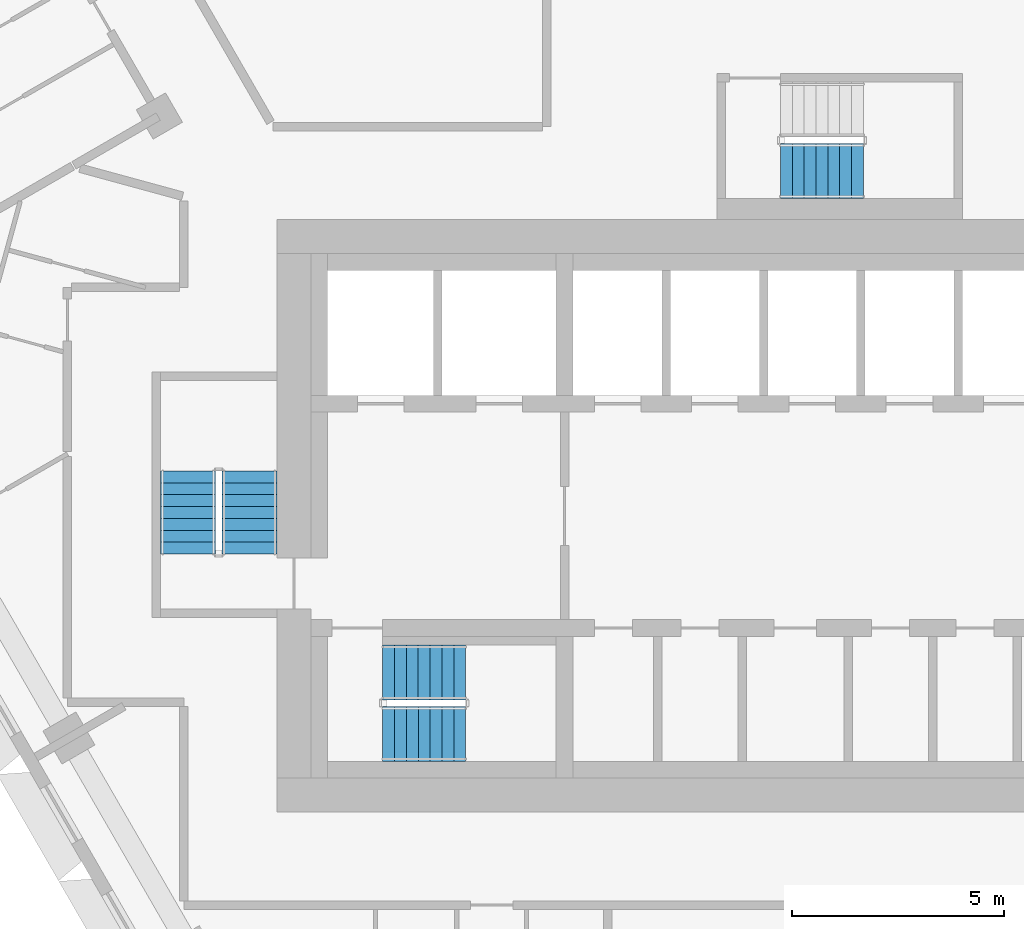
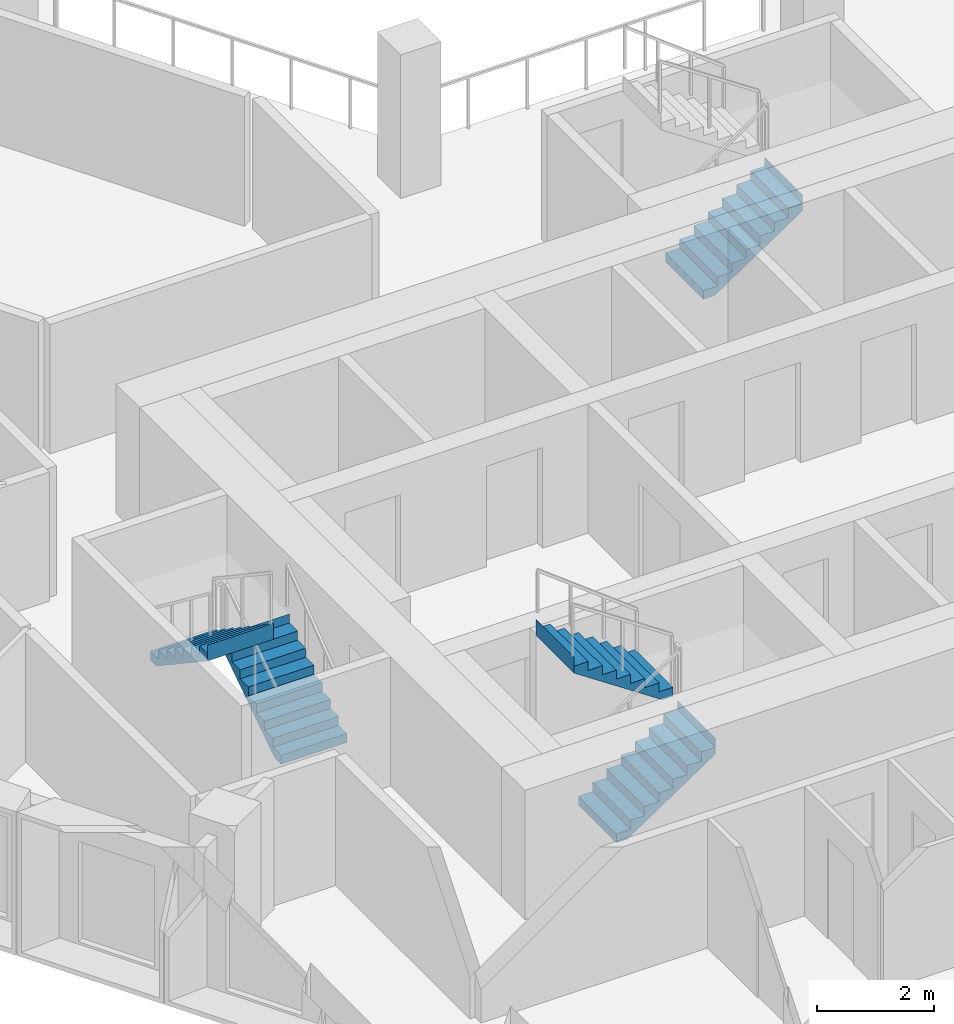
# One storey, part 13 of 18: 5 stair flights, 3 elements without a shape of their own.
"""IFC4 building model written with IfcOpenShell, lengths in metres."""

from ifc_helpers import new_model, si_unit, direction, frame, origin, place, context, subcontext, project, spatial, triangles, material, type_object, element, aggregate, save


model = new_model("IFC4")

# Units and contexts
model_context = context("Model", 3, precision=1e-05, world=origin(), true_north=direction((0.0, 1.0)))
body_context = subcontext(model_context, "Body", "Model", "MODEL_VIEW")
ifc_project = project(units=[si_unit("LENGTHUNIT", "METRE"), si_unit("AREAUNIT", "SQUARE_METRE"), si_unit("VOLUMEUNIT", "CUBIC_METRE"), si_unit("PLANEANGLEUNIT", "RADIAN"), si_unit("MASSUNIT", "GRAM", prefix="KILO")], contexts=[model_context])

# Site, building, storey
site_placement = place(None, origin())
site = spatial("IfcSite", under=ifc_project, at=site_placement, CompositionType="ELEMENT")
building_placement = place(site_placement, origin())
building = spatial("IfcBuilding", under=site, at=building_placement, Name="Beryl Residences", CompositionType="ELEMENT")
storey_placement = place(building_placement, frame((0.0, 0.0, 138.60009765625)))
storey = spatial("IfcBuildingStorey", under=building, at=storey_placement, Name="L42", CompositionType="ELEMENT", Elevation=138.60009765625)

# Stair, stair flights
ifc_material_1 = material(Name="Concrete C40/50", Category="concrete")
stair_type = type_object("IfcStairType", Name="ST1 protected exit stair, half-turn, 1300 mm flights", PredefinedType="HALF_TURN_STAIR", material=ifc_material_1)
stair_1_placement = place(storey_placement, origin())
stair_1 = element("IfcStair", 1, at=stair_1_placement, inside=storey, type_object=stair_type, Name="L42 PROTECTED EXIT STAIR ST-1", PredefinedType="HALF_TURN_STAIR")
ifc_material_2 = material(Name="Concrete C40/50", Category="concrete")
stair_flight_type = type_object("IfcStairFlightType", Name="SF1 stair flight 1300 mm", PredefinedType="STRAIGHT", material=ifc_material_2)
stair_flight_1_placement = place(storey_placement, frame((-10.800048828125, -17.14990234375, 0.0), z_axis=(0.0, 0.0, 1.0), x_axis=(1.0, 0.0, 0.0)))
stair_flight_1 = element("IfcStairFlight", 2, at=stair_flight_1_placement, type_object=stair_flight_type, Name="ST-1 flight 1", NumberOfRisers=8, NumberOfTreads=7, PredefinedType="STRAIGHT", RiserHeight=0.1875, TreadLength=0.28, context=body_context, shape_type="Tessellation", body=[
    triangles([(0.0, -0.64990234375, 0.0), (0.0, -0.324951171875, 0.0), (0.0, 0.0, 0.0), (0.0, 0.324951171875, 0.0), (0.0, 0.64990234375, 0.0), (0.0, -0.64990234375, 0.1875), (0.0, -0.324951171875, 0.1875), (0.0, 0.0, 0.1875), (0.0, 0.324951171875, 0.1875), (0.0, 0.64990234375, 0.1875), (0.280029296875, -0.64990234375, 0.1875), (0.280029296875, -0.324951171875, 0.1875), (0.280029296875, 0.0, 0.1875), (0.280029296875, 0.324951171875, 0.1875), (0.280029296875, 0.64990234375, 0.1875), (0.280029296875, -0.64990234375, 0.375), (0.280029296875, -0.324951171875, 0.375), (0.280029296875, 0.0, 0.375), (0.280029296875, 0.324951171875, 0.375), (0.280029296875, 0.64990234375, 0.375), (0.56005859375, -0.64990234375, 0.375), (0.56005859375, -0.324951171875, 0.375), (0.56005859375, 0.0, 0.375), (0.56005859375, 0.324951171875, 0.375), (0.56005859375, 0.64990234375, 0.375), (0.56005859375, -0.64990234375, 0.5625), (0.56005859375, -0.324951171875, 0.5625), (0.56005859375, 0.0, 0.5625), (0.56005859375, 0.324951171875, 0.5625), (0.56005859375, 0.64990234375, 0.5625), (0.840087890625, -0.64990234375, 0.5625), (0.840087890625, -0.324951171875, 0.5625), (0.840087890625, 0.0, 0.5625), (0.840087890625, 0.324951171875, 0.5625), (0.840087890625, 0.64990234375, 0.5625), (0.840087890625, -0.64990234375, 0.75), (0.840087890625, -0.324951171875, 0.75), (0.840087890625, 0.0, 0.75), (0.840087890625, 0.324951171875, 0.75), (0.840087890625, 0.64990234375, 0.75), (1.1201171875, -0.64990234375, 0.75), (1.1201171875, -0.324951171875, 0.75), (1.1201171875, 0.0, 0.75), (1.1201171875, 0.324951171875, 0.75), (1.1201171875, 0.64990234375, 0.75), (1.1201171875, -0.64990234375, 0.9375), (1.1201171875, -0.324951171875, 0.9375), (1.1201171875, 0.0, 0.9375), (1.1201171875, 0.324951171875, 0.9375), (1.1201171875, 0.64990234375, 0.9375), (1.39990234375, -0.64990234375, 0.9375), (1.39990234375, -0.324951171875, 0.9375), (1.39990234375, 0.0, 0.9375), (1.39990234375, 0.324951171875, 0.9375), (1.39990234375, 0.64990234375, 0.9375), (1.39990234375, -0.64990234375, 1.125), (1.39990234375, -0.324951171875, 1.125), (1.39990234375, 0.0, 1.125), (1.39990234375, 0.324951171875, 1.125), (1.39990234375, 0.64990234375, 1.125), (1.679931640625, -0.64990234375, 1.125), (1.679931640625, -0.324951171875, 1.125), (1.679931640625, 0.0, 1.125), (1.679931640625, 0.324951171875, 1.125), (1.679931640625, 0.64990234375, 1.125), (1.679931640625, -0.64990234375, 1.3125), (1.679931640625, -0.324951171875, 1.3125), (1.679931640625, 0.0, 1.3125), (1.679931640625, 0.324951171875, 1.3125), (1.679931640625, 0.64990234375, 1.3125), (1.9599609375, -0.64990234375, 1.3125), (1.9599609375, -0.324951171875, 1.3125), (1.9599609375, 0.0, 1.3125), (1.9599609375, 0.324951171875, 1.3125), (1.9599609375, 0.64990234375, 1.3125), (1.9599609375, -0.64990234375, 1.5), (1.9599609375, -0.324951171875, 1.5), (1.9599609375, 0.0, 1.5), (1.9599609375, 0.324951171875, 1.5), (1.9599609375, 0.64990234375, 1.5), (1.9609375, -0.64990234375, 1.5), (1.9609375, -0.324951171875, 1.5), (1.9609375, 0.0, 1.5), (1.9609375, 0.324951171875, 1.5), (1.9609375, 0.64990234375, 1.5), (1.9609375, -0.64990234375, 1.16796875), (1.9609375, -0.324951171875, 1.16796875), (1.9609375, 0.0, 1.16796875), (1.9609375, 0.324951171875, 1.16796875), (1.9609375, 0.64990234375, 1.16796875), (0.216796875, -0.64990234375, 0.0), (0.216796875, -0.324951171875, 0.0), (0.216796875, 0.0, 0.0), (0.216796875, 0.324951171875, 0.0), (0.216796875, 0.64990234375, 0.0)], [[1, 6, 7], [1, 7, 2], [2, 7, 8], [2, 8, 3], [3, 8, 9], [3, 9, 4], [4, 9, 10], [4, 10, 5], [6, 11, 12], [6, 12, 7], [7, 12, 13], [7, 13, 8], [8, 13, 14], [8, 14, 9], [9, 14, 15], [9, 15, 10], [11, 16, 17], [11, 17, 12], [12, 17, 18], [12, 18, 13], [13, 18, 19], [13, 19, 14], [14, 19, 20], [14, 20, 15], [16, 21, 22], [16, 22, 17], [17, 22, 23], [17, 23, 18], [18, 23, 24], [18, 24, 19], [19, 24, 25], [19, 25, 20], [21, 26, 27], [21, 27, 22], [22, 27, 28], [22, 28, 23], [23, 28, 29], [23, 29, 24], [24, 29, 30], [24, 30, 25], [26, 31, 32], [26, 32, 27], [27, 32, 33], [27, 33, 28], [28, 33, 34], [28, 34, 29], [29, 34, 35], [29, 35, 30], [31, 36, 37], [31, 37, 32], [32, 37, 38], [32, 38, 33], [33, 38, 39], [33, 39, 34], [34, 39, 40], [34, 40, 35], [36, 41, 42], [36, 42, 37], [37, 42, 43], [37, 43, 38], [38, 43, 44], [38, 44, 39], [39, 44, 45], [39, 45, 40], [41, 46, 47], [41, 47, 42], [42, 47, 48], [42, 48, 43], [43, 48, 49], [43, 49, 44], [44, 49, 50], [44, 50, 45], [46, 51, 52], [46, 52, 47], [47, 52, 53], [47, 53, 48], [48, 53, 54], [48, 54, 49], [49, 54, 55], [49, 55, 50], [51, 56, 57], [51, 57, 52], [52, 57, 58], [52, 58, 53], [53, 58, 59], [53, 59, 54], [54, 59, 60], [54, 60, 55], [56, 61, 62], [56, 62, 57], [57, 62, 63], [57, 63, 58], [58, 63, 64], [58, 64, 59], [59, 64, 65], [59, 65, 60], [61, 66, 67], [61, 67, 62], [62, 67, 68], [62, 68, 63], [63, 68, 69], [63, 69, 64], [64, 69, 70], [64, 70, 65], [66, 71, 72], [66, 72, 67], [67, 72, 73], [67, 73, 68], [68, 73, 74], [68, 74, 69], [69, 74, 75], [69, 75, 70], [71, 76, 77], [71, 77, 72], [72, 77, 78], [72, 78, 73], [73, 78, 79], [73, 79, 74], [74, 79, 80], [74, 80, 75], [76, 81, 82], [76, 82, 77], [77, 82, 83], [77, 83, 78], [78, 83, 84], [78, 84, 79], [79, 84, 85], [79, 85, 80], [81, 86, 87], [81, 87, 82], [82, 87, 88], [82, 88, 83], [83, 88, 89], [83, 89, 84], [84, 89, 90], [84, 90, 85], [86, 91, 92], [86, 92, 87], [87, 92, 93], [87, 93, 88], [88, 93, 94], [88, 94, 89], [89, 94, 95], [89, 95, 90], [91, 1, 2], [91, 2, 92], [92, 2, 3], [92, 3, 93], [93, 3, 4], [93, 4, 94], [94, 4, 5], [94, 5, 95], [1, 91, 86], [5, 90, 95], [86, 81, 76], [90, 80, 85], [86, 76, 71], [90, 75, 80], [86, 71, 66], [90, 70, 75], [86, 66, 61], [90, 65, 70], [61, 56, 51], [65, 55, 60], [86, 61, 51], [90, 55, 65], [51, 46, 41], [55, 45, 50], [86, 51, 41], [90, 45, 55], [41, 36, 31], [45, 35, 40], [86, 41, 31], [90, 35, 45], [31, 26, 21], [35, 25, 30], [86, 31, 21], [90, 25, 35], [21, 16, 11], [25, 15, 20], [86, 21, 11], [90, 15, 25], [1, 86, 11], [5, 15, 90], [11, 6, 1], [15, 5, 10]], closed=True),
])
stair_flight_2_placement = place(storey_placement, frame((-8.840087890625, -15.699951171875, 1.5), z_axis=(0.0, 0.0, 1.0), x_axis=(-1.0, 0.0, 0.0)))
stair_flight_2 = element("IfcStairFlight", 3, at=stair_flight_2_placement, type_object=stair_flight_type, Name="ST-1 flight 2", NumberOfRisers=8, NumberOfTreads=7, PredefinedType="STRAIGHT", RiserHeight=0.1875, TreadLength=0.28, context=body_context, shape_type="Tessellation", body=[
    triangles([(0.0, -0.64990234375, 0.0), (0.0, -0.324951171875, 0.0), (0.0, 0.0, 0.0), (0.0, 0.324951171875, 0.0), (0.0, 0.64990234375, 0.0), (0.0, -0.64990234375, 0.1875), (0.0, -0.324951171875, 0.1875), (0.0, 0.0, 0.1875), (0.0, 0.324951171875, 0.1875), (0.0, 0.64990234375, 0.1875), (0.280029296875, -0.64990234375, 0.1875), (0.280029296875, -0.324951171875, 0.1875), (0.280029296875, 0.0, 0.1875), (0.280029296875, 0.324951171875, 0.1875), (0.280029296875, 0.64990234375, 0.1875), (0.280029296875, -0.64990234375, 0.375), (0.280029296875, -0.324951171875, 0.375), (0.280029296875, 0.0, 0.375), (0.280029296875, 0.324951171875, 0.375), (0.280029296875, 0.64990234375, 0.375), (0.56005859375, -0.64990234375, 0.375), (0.56005859375, -0.324951171875, 0.375), (0.56005859375, 0.0, 0.375), (0.56005859375, 0.324951171875, 0.375), (0.56005859375, 0.64990234375, 0.375), (0.56005859375, -0.64990234375, 0.5625), (0.56005859375, -0.324951171875, 0.5625), (0.56005859375, 0.0, 0.5625), (0.56005859375, 0.324951171875, 0.5625), (0.56005859375, 0.64990234375, 0.5625), (0.840087890625, -0.64990234375, 0.5625), (0.840087890625, -0.324951171875, 0.5625), (0.840087890625, 0.0, 0.5625), (0.840087890625, 0.324951171875, 0.5625), (0.840087890625, 0.64990234375, 0.5625), (0.840087890625, -0.64990234375, 0.75), (0.840087890625, -0.324951171875, 0.75), (0.840087890625, 0.0, 0.75), (0.840087890625, 0.324951171875, 0.75), (0.840087890625, 0.64990234375, 0.75), (1.1201171875, -0.64990234375, 0.75), (1.1201171875, -0.324951171875, 0.75), (1.1201171875, 0.0, 0.75), (1.1201171875, 0.324951171875, 0.75), (1.1201171875, 0.64990234375, 0.75), (1.1201171875, -0.64990234375, 0.9375), (1.1201171875, -0.324951171875, 0.9375), (1.1201171875, 0.0, 0.9375), (1.1201171875, 0.324951171875, 0.9375), (1.1201171875, 0.64990234375, 0.9375), (1.39990234375, -0.64990234375, 0.9375), (1.39990234375, -0.324951171875, 0.9375), (1.39990234375, 0.0, 0.9375), (1.39990234375, 0.324951171875, 0.9375), (1.39990234375, 0.64990234375, 0.9375), (1.39990234375, -0.64990234375, 1.125), (1.39990234375, -0.324951171875, 1.125), (1.39990234375, 0.0, 1.125), (1.39990234375, 0.324951171875, 1.125), (1.39990234375, 0.64990234375, 1.125), (1.679931640625, -0.64990234375, 1.125), (1.679931640625, -0.324951171875, 1.125), (1.679931640625, 0.0, 1.125), (1.679931640625, 0.324951171875, 1.125), (1.679931640625, 0.64990234375, 1.125), (1.679931640625, -0.64990234375, 1.3125), (1.679931640625, -0.324951171875, 1.3125), (1.679931640625, 0.0, 1.3125), (1.679931640625, 0.324951171875, 1.3125), (1.679931640625, 0.64990234375, 1.3125), (1.9599609375, -0.64990234375, 1.3125), (1.9599609375, -0.324951171875, 1.3125), (1.9599609375, 0.0, 1.3125), (1.9599609375, 0.324951171875, 1.3125), (1.9599609375, 0.64990234375, 1.3125), (1.9599609375, -0.64990234375, 1.5), (1.9599609375, -0.324951171875, 1.5), (1.9599609375, 0.0, 1.5), (1.9599609375, 0.324951171875, 1.5), (1.9599609375, 0.64990234375, 1.5), (1.9609375, -0.64990234375, 1.5), (1.9609375, -0.324951171875, 1.5), (1.9609375, 0.0, 1.5), (1.9609375, 0.324951171875, 1.5), (1.9609375, 0.64990234375, 1.5), (1.9609375, -0.64990234375, 1.16796875), (1.9609375, -0.324951171875, 1.16796875), (1.9609375, 0.0, 1.16796875), (1.9609375, 0.324951171875, 1.16796875), (1.9609375, 0.64990234375, 1.16796875), (0.216796875, -0.64990234375, 0.0), (0.216796875, -0.324951171875, 0.0), (0.216796875, 0.0, 0.0), (0.216796875, 0.324951171875, 0.0), (0.216796875, 0.64990234375, 0.0)], [[1, 6, 7], [1, 7, 2], [2, 7, 8], [2, 8, 3], [3, 8, 9], [3, 9, 4], [4, 9, 10], [4, 10, 5], [6, 11, 12], [6, 12, 7], [7, 12, 13], [7, 13, 8], [8, 13, 14], [8, 14, 9], [9, 14, 15], [9, 15, 10], [11, 16, 17], [11, 17, 12], [12, 17, 18], [12, 18, 13], [13, 18, 19], [13, 19, 14], [14, 19, 20], [14, 20, 15], [16, 21, 22], [16, 22, 17], [17, 22, 23], [17, 23, 18], [18, 23, 24], [18, 24, 19], [19, 24, 25], [19, 25, 20], [21, 26, 27], [21, 27, 22], [22, 27, 28], [22, 28, 23], [23, 28, 29], [23, 29, 24], [24, 29, 30], [24, 30, 25], [26, 31, 32], [26, 32, 27], [27, 32, 33], [27, 33, 28], [28, 33, 34], [28, 34, 29], [29, 34, 35], [29, 35, 30], [31, 36, 37], [31, 37, 32], [32, 37, 38], [32, 38, 33], [33, 38, 39], [33, 39, 34], [34, 39, 40], [34, 40, 35], [36, 41, 42], [36, 42, 37], [37, 42, 43], [37, 43, 38], [38, 43, 44], [38, 44, 39], [39, 44, 45], [39, 45, 40], [41, 46, 47], [41, 47, 42], [42, 47, 48], [42, 48, 43], [43, 48, 49], [43, 49, 44], [44, 49, 50], [44, 50, 45], [46, 51, 52], [46, 52, 47], [47, 52, 53], [47, 53, 48], [48, 53, 54], [48, 54, 49], [49, 54, 55], [49, 55, 50], [51, 56, 57], [51, 57, 52], [52, 57, 58], [52, 58, 53], [53, 58, 59], [53, 59, 54], [54, 59, 60], [54, 60, 55], [56, 61, 62], [56, 62, 57], [57, 62, 63], [57, 63, 58], [58, 63, 64], [58, 64, 59], [59, 64, 65], [59, 65, 60], [61, 66, 67], [61, 67, 62], [62, 67, 68], [62, 68, 63], [63, 68, 69], [63, 69, 64], [64, 69, 70], [64, 70, 65], [66, 71, 72], [66, 72, 67], [67, 72, 73], [67, 73, 68], [68, 73, 74], [68, 74, 69], [69, 74, 75], [69, 75, 70], [71, 76, 77], [71, 77, 72], [72, 77, 78], [72, 78, 73], [73, 78, 79], [73, 79, 74], [74, 79, 80], [74, 80, 75], [76, 81, 82], [76, 82, 77], [77, 82, 83], [77, 83, 78], [78, 83, 84], [78, 84, 79], [79, 84, 85], [79, 85, 80], [81, 86, 87], [81, 87, 82], [82, 87, 88], [82, 88, 83], [83, 88, 89], [83, 89, 84], [84, 89, 90], [84, 90, 85], [86, 91, 92], [86, 92, 87], [87, 92, 93], [87, 93, 88], [88, 93, 94], [88, 94, 89], [89, 94, 95], [89, 95, 90], [91, 1, 2], [91, 2, 92], [92, 2, 3], [92, 3, 93], [93, 3, 4], [93, 4, 94], [94, 4, 5], [94, 5, 95], [1, 91, 86], [5, 90, 95], [86, 81, 76], [90, 80, 85], [86, 76, 71], [90, 75, 80], [86, 71, 66], [90, 70, 75], [86, 66, 61], [90, 65, 70], [61, 56, 51], [65, 55, 60], [86, 61, 51], [90, 55, 65], [51, 46, 41], [55, 45, 50], [86, 51, 41], [90, 45, 55], [41, 36, 31], [45, 35, 40], [86, 41, 31], [90, 35, 45], [31, 26, 21], [35, 25, 30], [86, 31, 21], [90, 25, 35], [21, 16, 11], [25, 15, 20], [86, 21, 11], [90, 15, 25], [1, 86, 11], [5, 15, 90], [11, 6, 1], [15, 5, 10]], closed=True),
])
aggregate(stair_1, [stair_flight_1, stair_flight_2])

stair_2_placement = place(storey_placement, origin())
stair_2 = element("IfcStair", 4, at=stair_2_placement, inside=storey, type_object=stair_type, Name="L42 PROTECTED EXIT STAIR ST-2", PredefinedType="HALF_TURN_STAIR")
stair_flight_3_placement = place(storey_placement, frame((-13.949951171875, -12.89990234375, 0.0), z_axis=(0.0, 0.0, 1.0), x_axis=(0.0, 1.0, 0.0)))
stair_flight_3 = element("IfcStairFlight", 5, at=stair_flight_3_placement, type_object=stair_flight_type, Name="ST-2 flight 1", NumberOfRisers=8, NumberOfTreads=7, PredefinedType="STRAIGHT", RiserHeight=0.1875, TreadLength=0.28, context=body_context, shape_type="Tessellation", body=[
    triangles([(0.0, -0.64990234375, 0.0), (0.0, -0.324951171875, 0.0), (0.0, 0.0, 0.0), (0.0, 0.324951171875, 0.0), (0.0, 0.64990234375, 0.0), (0.0, -0.64990234375, 0.1875), (0.0, -0.324951171875, 0.1875), (0.0, 0.0, 0.1875), (0.0, 0.324951171875, 0.1875), (0.0, 0.64990234375, 0.1875), (0.280029296875, -0.64990234375, 0.1875), (0.280029296875, -0.324951171875, 0.1875), (0.280029296875, 0.0, 0.1875), (0.280029296875, 0.324951171875, 0.1875), (0.280029296875, 0.64990234375, 0.1875), (0.280029296875, -0.64990234375, 0.375), (0.280029296875, -0.324951171875, 0.375), (0.280029296875, 0.0, 0.375), (0.280029296875, 0.324951171875, 0.375), (0.280029296875, 0.64990234375, 0.375), (0.56005859375, -0.64990234375, 0.375), (0.56005859375, -0.324951171875, 0.375), (0.56005859375, 0.0, 0.375), (0.56005859375, 0.324951171875, 0.375), (0.56005859375, 0.64990234375, 0.375), (0.56005859375, -0.64990234375, 0.5625), (0.56005859375, -0.324951171875, 0.5625), (0.56005859375, 0.0, 0.5625), (0.56005859375, 0.324951171875, 0.5625), (0.56005859375, 0.64990234375, 0.5625), (0.840087890625, -0.64990234375, 0.5625), (0.840087890625, -0.324951171875, 0.5625), (0.840087890625, 0.0, 0.5625), (0.840087890625, 0.324951171875, 0.5625), (0.840087890625, 0.64990234375, 0.5625), (0.840087890625, -0.64990234375, 0.75), (0.840087890625, -0.324951171875, 0.75), (0.840087890625, 0.0, 0.75), (0.840087890625, 0.324951171875, 0.75), (0.840087890625, 0.64990234375, 0.75), (1.1201171875, -0.64990234375, 0.75), (1.1201171875, -0.324951171875, 0.75), (1.1201171875, 0.0, 0.75), (1.1201171875, 0.324951171875, 0.75), (1.1201171875, 0.64990234375, 0.75), (1.1201171875, -0.64990234375, 0.9375), (1.1201171875, -0.324951171875, 0.9375), (1.1201171875, 0.0, 0.9375), (1.1201171875, 0.324951171875, 0.9375), (1.1201171875, 0.64990234375, 0.9375), (1.39990234375, -0.64990234375, 0.9375), (1.39990234375, -0.324951171875, 0.9375), (1.39990234375, 0.0, 0.9375), (1.39990234375, 0.324951171875, 0.9375), (1.39990234375, 0.64990234375, 0.9375), (1.39990234375, -0.64990234375, 1.125), (1.39990234375, -0.324951171875, 1.125), (1.39990234375, 0.0, 1.125), (1.39990234375, 0.324951171875, 1.125), (1.39990234375, 0.64990234375, 1.125), (1.679931640625, -0.64990234375, 1.125), (1.679931640625, -0.324951171875, 1.125), (1.679931640625, 0.0, 1.125), (1.679931640625, 0.324951171875, 1.125), (1.679931640625, 0.64990234375, 1.125), (1.679931640625, -0.64990234375, 1.3125), (1.679931640625, -0.324951171875, 1.3125), (1.679931640625, 0.0, 1.3125), (1.679931640625, 0.324951171875, 1.3125), (1.679931640625, 0.64990234375, 1.3125), (1.9599609375, -0.64990234375, 1.3125), (1.9599609375, -0.324951171875, 1.3125), (1.9599609375, 0.0, 1.3125), (1.9599609375, 0.324951171875, 1.3125), (1.9599609375, 0.64990234375, 1.3125), (1.9599609375, -0.64990234375, 1.5), (1.9599609375, -0.324951171875, 1.5), (1.9599609375, 0.0, 1.5), (1.9599609375, 0.324951171875, 1.5), (1.9599609375, 0.64990234375, 1.5), (1.9609375, -0.64990234375, 1.5), (1.9609375, -0.324951171875, 1.5), (1.9609375, 0.0, 1.5), (1.9609375, 0.324951171875, 1.5), (1.9609375, 0.64990234375, 1.5), (1.9609375, -0.64990234375, 1.16796875), (1.9609375, -0.324951171875, 1.16796875), (1.9609375, 0.0, 1.16796875), (1.9609375, 0.324951171875, 1.16796875), (1.9609375, 0.64990234375, 1.16796875), (0.216796875, -0.64990234375, 0.0), (0.216796875, -0.324951171875, 0.0), (0.216796875, 0.0, 0.0), (0.216796875, 0.324951171875, 0.0), (0.216796875, 0.64990234375, 0.0)], [[1, 6, 7], [1, 7, 2], [2, 7, 8], [2, 8, 3], [3, 8, 9], [3, 9, 4], [4, 9, 10], [4, 10, 5], [6, 11, 12], [6, 12, 7], [7, 12, 13], [7, 13, 8], [8, 13, 14], [8, 14, 9], [9, 14, 15], [9, 15, 10], [11, 16, 17], [11, 17, 12], [12, 17, 18], [12, 18, 13], [13, 18, 19], [13, 19, 14], [14, 19, 20], [14, 20, 15], [16, 21, 22], [16, 22, 17], [17, 22, 23], [17, 23, 18], [18, 23, 24], [18, 24, 19], [19, 24, 25], [19, 25, 20], [21, 26, 27], [21, 27, 22], [22, 27, 28], [22, 28, 23], [23, 28, 29], [23, 29, 24], [24, 29, 30], [24, 30, 25], [26, 31, 32], [26, 32, 27], [27, 32, 33], [27, 33, 28], [28, 33, 34], [28, 34, 29], [29, 34, 35], [29, 35, 30], [31, 36, 37], [31, 37, 32], [32, 37, 38], [32, 38, 33], [33, 38, 39], [33, 39, 34], [34, 39, 40], [34, 40, 35], [36, 41, 42], [36, 42, 37], [37, 42, 43], [37, 43, 38], [38, 43, 44], [38, 44, 39], [39, 44, 45], [39, 45, 40], [41, 46, 47], [41, 47, 42], [42, 47, 48], [42, 48, 43], [43, 48, 49], [43, 49, 44], [44, 49, 50], [44, 50, 45], [46, 51, 52], [46, 52, 47], [47, 52, 53], [47, 53, 48], [48, 53, 54], [48, 54, 49], [49, 54, 55], [49, 55, 50], [51, 56, 57], [51, 57, 52], [52, 57, 58], [52, 58, 53], [53, 58, 59], [53, 59, 54], [54, 59, 60], [54, 60, 55], [56, 61, 62], [56, 62, 57], [57, 62, 63], [57, 63, 58], [58, 63, 64], [58, 64, 59], [59, 64, 65], [59, 65, 60], [61, 66, 67], [61, 67, 62], [62, 67, 68], [62, 68, 63], [63, 68, 69], [63, 69, 64], [64, 69, 70], [64, 70, 65], [66, 71, 72], [66, 72, 67], [67, 72, 73], [67, 73, 68], [68, 73, 74], [68, 74, 69], [69, 74, 75], [69, 75, 70], [71, 76, 77], [71, 77, 72], [72, 77, 78], [72, 78, 73], [73, 78, 79], [73, 79, 74], [74, 79, 80], [74, 80, 75], [76, 81, 82], [76, 82, 77], [77, 82, 83], [77, 83, 78], [78, 83, 84], [78, 84, 79], [79, 84, 85], [79, 85, 80], [81, 86, 87], [81, 87, 82], [82, 87, 88], [82, 88, 83], [83, 88, 89], [83, 89, 84], [84, 89, 90], [84, 90, 85], [86, 91, 92], [86, 92, 87], [87, 92, 93], [87, 93, 88], [88, 93, 94], [88, 94, 89], [89, 94, 95], [89, 95, 90], [91, 1, 2], [91, 2, 92], [92, 2, 3], [92, 3, 93], [93, 3, 4], [93, 4, 94], [94, 4, 5], [94, 5, 95], [1, 91, 86], [5, 90, 95], [86, 81, 76], [90, 80, 85], [86, 76, 71], [90, 75, 80], [86, 71, 66], [90, 70, 75], [86, 66, 61], [90, 65, 70], [61, 56, 51], [65, 55, 60], [86, 61, 51], [90, 55, 65], [51, 46, 41], [55, 45, 50], [86, 51, 41], [90, 45, 55], [41, 36, 31], [45, 35, 40], [86, 41, 31], [90, 35, 45], [31, 26, 21], [35, 25, 30], [86, 31, 21], [90, 25, 35], [21, 16, 11], [25, 15, 20], [86, 21, 11], [90, 15, 25], [1, 86, 11], [5, 15, 90], [11, 6, 1], [15, 5, 10]], closed=True),
])
stair_flight_4_placement = place(storey_placement, frame((-15.39990234375, -10.93994140625, 1.5), z_axis=(0.0, 0.0, 1.0), x_axis=(0.0, -1.0, 0.0)))
stair_flight_4 = element("IfcStairFlight", 6, at=stair_flight_4_placement, type_object=stair_flight_type, Name="ST-2 flight 2", NumberOfRisers=8, NumberOfTreads=7, PredefinedType="STRAIGHT", RiserHeight=0.1875, TreadLength=0.28, context=body_context, shape_type="Tessellation", body=[
    triangles([(0.0, -0.64990234375, 0.0), (0.0, -0.324951171875, 0.0), (0.0, 0.0, 0.0), (0.0, 0.324951171875, 0.0), (0.0, 0.64990234375, 0.0), (0.0, -0.64990234375, 0.1875), (0.0, -0.324951171875, 0.1875), (0.0, 0.0, 0.1875), (0.0, 0.324951171875, 0.1875), (0.0, 0.64990234375, 0.1875), (0.280029296875, -0.64990234375, 0.1875), (0.280029296875, -0.324951171875, 0.1875), (0.280029296875, 0.0, 0.1875), (0.280029296875, 0.324951171875, 0.1875), (0.280029296875, 0.64990234375, 0.1875), (0.280029296875, -0.64990234375, 0.375), (0.280029296875, -0.324951171875, 0.375), (0.280029296875, 0.0, 0.375), (0.280029296875, 0.324951171875, 0.375), (0.280029296875, 0.64990234375, 0.375), (0.56005859375, -0.64990234375, 0.375), (0.56005859375, -0.324951171875, 0.375), (0.56005859375, 0.0, 0.375), (0.56005859375, 0.324951171875, 0.375), (0.56005859375, 0.64990234375, 0.375), (0.56005859375, -0.64990234375, 0.5625), (0.56005859375, -0.324951171875, 0.5625), (0.56005859375, 0.0, 0.5625), (0.56005859375, 0.324951171875, 0.5625), (0.56005859375, 0.64990234375, 0.5625), (0.840087890625, -0.64990234375, 0.5625), (0.840087890625, -0.324951171875, 0.5625), (0.840087890625, 0.0, 0.5625), (0.840087890625, 0.324951171875, 0.5625), (0.840087890625, 0.64990234375, 0.5625), (0.840087890625, -0.64990234375, 0.75), (0.840087890625, -0.324951171875, 0.75), (0.840087890625, 0.0, 0.75), (0.840087890625, 0.324951171875, 0.75), (0.840087890625, 0.64990234375, 0.75), (1.1201171875, -0.64990234375, 0.75), (1.1201171875, -0.324951171875, 0.75), (1.1201171875, 0.0, 0.75), (1.1201171875, 0.324951171875, 0.75), (1.1201171875, 0.64990234375, 0.75), (1.1201171875, -0.64990234375, 0.9375), (1.1201171875, -0.324951171875, 0.9375), (1.1201171875, 0.0, 0.9375), (1.1201171875, 0.324951171875, 0.9375), (1.1201171875, 0.64990234375, 0.9375), (1.39990234375, -0.64990234375, 0.9375), (1.39990234375, -0.324951171875, 0.9375), (1.39990234375, 0.0, 0.9375), (1.39990234375, 0.324951171875, 0.9375), (1.39990234375, 0.64990234375, 0.9375), (1.39990234375, -0.64990234375, 1.125), (1.39990234375, -0.324951171875, 1.125), (1.39990234375, 0.0, 1.125), (1.39990234375, 0.324951171875, 1.125), (1.39990234375, 0.64990234375, 1.125), (1.679931640625, -0.64990234375, 1.125), (1.679931640625, -0.324951171875, 1.125), (1.679931640625, 0.0, 1.125), (1.679931640625, 0.324951171875, 1.125), (1.679931640625, 0.64990234375, 1.125), (1.679931640625, -0.64990234375, 1.3125), (1.679931640625, -0.324951171875, 1.3125), (1.679931640625, 0.0, 1.3125), (1.679931640625, 0.324951171875, 1.3125), (1.679931640625, 0.64990234375, 1.3125), (1.9599609375, -0.64990234375, 1.3125), (1.9599609375, -0.324951171875, 1.3125), (1.9599609375, 0.0, 1.3125), (1.9599609375, 0.324951171875, 1.3125), (1.9599609375, 0.64990234375, 1.3125), (1.9599609375, -0.64990234375, 1.5), (1.9599609375, -0.324951171875, 1.5), (1.9599609375, 0.0, 1.5), (1.9599609375, 0.324951171875, 1.5), (1.9599609375, 0.64990234375, 1.5), (1.9609375, -0.64990234375, 1.5), (1.9609375, -0.324951171875, 1.5), (1.9609375, 0.0, 1.5), (1.9609375, 0.324951171875, 1.5), (1.9609375, 0.64990234375, 1.5), (1.9609375, -0.64990234375, 1.16796875), (1.9609375, -0.324951171875, 1.16796875), (1.9609375, 0.0, 1.16796875), (1.9609375, 0.324951171875, 1.16796875), (1.9609375, 0.64990234375, 1.16796875), (0.216796875, -0.64990234375, 0.0), (0.216796875, -0.324951171875, 0.0), (0.216796875, 0.0, 0.0), (0.216796875, 0.324951171875, 0.0), (0.216796875, 0.64990234375, 0.0)], [[1, 6, 7], [1, 7, 2], [2, 7, 8], [2, 8, 3], [3, 8, 9], [3, 9, 4], [4, 9, 10], [4, 10, 5], [6, 11, 12], [6, 12, 7], [7, 12, 13], [7, 13, 8], [8, 13, 14], [8, 14, 9], [9, 14, 15], [9, 15, 10], [11, 16, 17], [11, 17, 12], [12, 17, 18], [12, 18, 13], [13, 18, 19], [13, 19, 14], [14, 19, 20], [14, 20, 15], [16, 21, 22], [16, 22, 17], [17, 22, 23], [17, 23, 18], [18, 23, 24], [18, 24, 19], [19, 24, 25], [19, 25, 20], [21, 26, 27], [21, 27, 22], [22, 27, 28], [22, 28, 23], [23, 28, 29], [23, 29, 24], [24, 29, 30], [24, 30, 25], [26, 31, 32], [26, 32, 27], [27, 32, 33], [27, 33, 28], [28, 33, 34], [28, 34, 29], [29, 34, 35], [29, 35, 30], [31, 36, 37], [31, 37, 32], [32, 37, 38], [32, 38, 33], [33, 38, 39], [33, 39, 34], [34, 39, 40], [34, 40, 35], [36, 41, 42], [36, 42, 37], [37, 42, 43], [37, 43, 38], [38, 43, 44], [38, 44, 39], [39, 44, 45], [39, 45, 40], [41, 46, 47], [41, 47, 42], [42, 47, 48], [42, 48, 43], [43, 48, 49], [43, 49, 44], [44, 49, 50], [44, 50, 45], [46, 51, 52], [46, 52, 47], [47, 52, 53], [47, 53, 48], [48, 53, 54], [48, 54, 49], [49, 54, 55], [49, 55, 50], [51, 56, 57], [51, 57, 52], [52, 57, 58], [52, 58, 53], [53, 58, 59], [53, 59, 54], [54, 59, 60], [54, 60, 55], [56, 61, 62], [56, 62, 57], [57, 62, 63], [57, 63, 58], [58, 63, 64], [58, 64, 59], [59, 64, 65], [59, 65, 60], [61, 66, 67], [61, 67, 62], [62, 67, 68], [62, 68, 63], [63, 68, 69], [63, 69, 64], [64, 69, 70], [64, 70, 65], [66, 71, 72], [66, 72, 67], [67, 72, 73], [67, 73, 68], [68, 73, 74], [68, 74, 69], [69, 74, 75], [69, 75, 70], [71, 76, 77], [71, 77, 72], [72, 77, 78], [72, 78, 73], [73, 78, 79], [73, 79, 74], [74, 79, 80], [74, 80, 75], [76, 81, 82], [76, 82, 77], [77, 82, 83], [77, 83, 78], [78, 83, 84], [78, 84, 79], [79, 84, 85], [79, 85, 80], [81, 86, 87], [81, 87, 82], [82, 87, 88], [82, 88, 83], [83, 88, 89], [83, 89, 84], [84, 89, 90], [84, 90, 85], [86, 91, 92], [86, 92, 87], [87, 92, 93], [87, 93, 88], [88, 93, 94], [88, 94, 89], [89, 94, 95], [89, 95, 90], [91, 1, 2], [91, 2, 92], [92, 2, 3], [92, 3, 93], [93, 3, 4], [93, 4, 94], [94, 4, 5], [94, 5, 95], [1, 91, 86], [5, 90, 95], [86, 81, 76], [90, 80, 85], [86, 76, 71], [90, 75, 80], [86, 71, 66], [90, 70, 75], [86, 66, 61], [90, 65, 70], [61, 56, 51], [65, 55, 60], [86, 61, 51], [90, 55, 65], [51, 46, 41], [55, 45, 50], [86, 51, 41], [90, 45, 55], [41, 36, 31], [45, 35, 40], [86, 41, 31], [90, 35, 45], [31, 26, 21], [35, 25, 30], [86, 31, 21], [90, 25, 35], [21, 16, 11], [25, 15, 20], [86, 21, 11], [90, 15, 25], [1, 86, 11], [5, 15, 90], [11, 6, 1], [15, 5, 10]], closed=True),
])
aggregate(stair_2, [stair_flight_3, stair_flight_4])

# Stair, stair flight
stair_3_placement = place(storey_placement, origin())
stair_3 = element("IfcStair", 7, at=stair_3_placement, inside=storey, type_object=stair_type, Name="L42 PROTECTED EXIT STAIR ST-4", PredefinedType="HALF_TURN_STAIR")
stair_flight_5_placement = place(storey_placement, frame((-1.39990234375, -3.85009765625, 0.0), z_axis=(0.0, 0.0, 1.0), x_axis=(1.0, 0.0, 0.0)))
stair_flight_5 = element("IfcStairFlight", 8, at=stair_flight_5_placement, type_object=stair_flight_type, Name="ST-4 flight 1", NumberOfRisers=8, NumberOfTreads=7, PredefinedType="STRAIGHT", RiserHeight=0.1875, TreadLength=0.28, context=body_context, shape_type="Tessellation", body=[
    triangles([(0.0, -0.64990234375, 0.0), (0.0, -0.324951171875, 0.0), (0.0, 0.0, 0.0), (0.0, 0.324951171875, 0.0), (0.0, 0.64990234375, 0.0), (0.0, -0.64990234375, 0.1875), (0.0, -0.324951171875, 0.1875), (0.0, 0.0, 0.1875), (0.0, 0.324951171875, 0.1875), (0.0, 0.64990234375, 0.1875), (0.280029296875, -0.64990234375, 0.1875), (0.280029296875, -0.324951171875, 0.1875), (0.280029296875, 0.0, 0.1875), (0.280029296875, 0.324951171875, 0.1875), (0.280029296875, 0.64990234375, 0.1875), (0.280029296875, -0.64990234375, 0.375), (0.280029296875, -0.324951171875, 0.375), (0.280029296875, 0.0, 0.375), (0.280029296875, 0.324951171875, 0.375), (0.280029296875, 0.64990234375, 0.375), (0.56005859375, -0.64990234375, 0.375), (0.56005859375, -0.324951171875, 0.375), (0.56005859375, 0.0, 0.375), (0.56005859375, 0.324951171875, 0.375), (0.56005859375, 0.64990234375, 0.375), (0.56005859375, -0.64990234375, 0.5625), (0.56005859375, -0.324951171875, 0.5625), (0.56005859375, 0.0, 0.5625), (0.56005859375, 0.324951171875, 0.5625), (0.56005859375, 0.64990234375, 0.5625), (0.840087890625, -0.64990234375, 0.5625), (0.840087890625, -0.324951171875, 0.5625), (0.840087890625, 0.0, 0.5625), (0.840087890625, 0.324951171875, 0.5625), (0.840087890625, 0.64990234375, 0.5625), (0.840087890625, -0.64990234375, 0.75), (0.840087890625, -0.324951171875, 0.75), (0.840087890625, 0.0, 0.75), (0.840087890625, 0.324951171875, 0.75), (0.840087890625, 0.64990234375, 0.75), (1.1201171875, -0.64990234375, 0.75), (1.1201171875, -0.324951171875, 0.75), (1.1201171875, 0.0, 0.75), (1.1201171875, 0.324951171875, 0.75), (1.1201171875, 0.64990234375, 0.75), (1.1201171875, -0.64990234375, 0.9375), (1.1201171875, -0.324951171875, 0.9375), (1.1201171875, 0.0, 0.9375), (1.1201171875, 0.324951171875, 0.9375), (1.1201171875, 0.64990234375, 0.9375), (1.39990234375, -0.64990234375, 0.9375), (1.39990234375, -0.324951171875, 0.9375), (1.39990234375, 0.0, 0.9375), (1.39990234375, 0.324951171875, 0.9375), (1.39990234375, 0.64990234375, 0.9375), (1.39990234375, -0.64990234375, 1.125), (1.39990234375, -0.324951171875, 1.125), (1.39990234375, 0.0, 1.125), (1.39990234375, 0.324951171875, 1.125), (1.39990234375, 0.64990234375, 1.125), (1.679931640625, -0.64990234375, 1.125), (1.679931640625, -0.324951171875, 1.125), (1.679931640625, 0.0, 1.125), (1.679931640625, 0.324951171875, 1.125), (1.679931640625, 0.64990234375, 1.125), (1.679931640625, -0.64990234375, 1.3125), (1.679931640625, -0.324951171875, 1.3125), (1.679931640625, 0.0, 1.3125), (1.679931640625, 0.324951171875, 1.3125), (1.679931640625, 0.64990234375, 1.3125), (1.9599609375, -0.64990234375, 1.3125), (1.9599609375, -0.324951171875, 1.3125), (1.9599609375, 0.0, 1.3125), (1.9599609375, 0.324951171875, 1.3125), (1.9599609375, 0.64990234375, 1.3125), (1.9599609375, -0.64990234375, 1.5), (1.9599609375, -0.324951171875, 1.5), (1.9599609375, 0.0, 1.5), (1.9599609375, 0.324951171875, 1.5), (1.9599609375, 0.64990234375, 1.5), (1.9609375, -0.64990234375, 1.5), (1.9609375, -0.324951171875, 1.5), (1.9609375, 0.0, 1.5), (1.9609375, 0.324951171875, 1.5), (1.9609375, 0.64990234375, 1.5), (1.9609375, -0.64990234375, 1.16796875), (1.9609375, -0.324951171875, 1.16796875), (1.9609375, 0.0, 1.16796875), (1.9609375, 0.324951171875, 1.16796875), (1.9609375, 0.64990234375, 1.16796875), (0.216796875, -0.64990234375, 0.0), (0.216796875, -0.324951171875, 0.0), (0.216796875, 0.0, 0.0), (0.216796875, 0.324951171875, 0.0), (0.216796875, 0.64990234375, 0.0)], [[1, 6, 7], [1, 7, 2], [2, 7, 8], [2, 8, 3], [3, 8, 9], [3, 9, 4], [4, 9, 10], [4, 10, 5], [6, 11, 12], [6, 12, 7], [7, 12, 13], [7, 13, 8], [8, 13, 14], [8, 14, 9], [9, 14, 15], [9, 15, 10], [11, 16, 17], [11, 17, 12], [12, 17, 18], [12, 18, 13], [13, 18, 19], [13, 19, 14], [14, 19, 20], [14, 20, 15], [16, 21, 22], [16, 22, 17], [17, 22, 23], [17, 23, 18], [18, 23, 24], [18, 24, 19], [19, 24, 25], [19, 25, 20], [21, 26, 27], [21, 27, 22], [22, 27, 28], [22, 28, 23], [23, 28, 29], [23, 29, 24], [24, 29, 30], [24, 30, 25], [26, 31, 32], [26, 32, 27], [27, 32, 33], [27, 33, 28], [28, 33, 34], [28, 34, 29], [29, 34, 35], [29, 35, 30], [31, 36, 37], [31, 37, 32], [32, 37, 38], [32, 38, 33], [33, 38, 39], [33, 39, 34], [34, 39, 40], [34, 40, 35], [36, 41, 42], [36, 42, 37], [37, 42, 43], [37, 43, 38], [38, 43, 44], [38, 44, 39], [39, 44, 45], [39, 45, 40], [41, 46, 47], [41, 47, 42], [42, 47, 48], [42, 48, 43], [43, 48, 49], [43, 49, 44], [44, 49, 50], [44, 50, 45], [46, 51, 52], [46, 52, 47], [47, 52, 53], [47, 53, 48], [48, 53, 54], [48, 54, 49], [49, 54, 55], [49, 55, 50], [51, 56, 57], [51, 57, 52], [52, 57, 58], [52, 58, 53], [53, 58, 59], [53, 59, 54], [54, 59, 60], [54, 60, 55], [56, 61, 62], [56, 62, 57], [57, 62, 63], [57, 63, 58], [58, 63, 64], [58, 64, 59], [59, 64, 65], [59, 65, 60], [61, 66, 67], [61, 67, 62], [62, 67, 68], [62, 68, 63], [63, 68, 69], [63, 69, 64], [64, 69, 70], [64, 70, 65], [66, 71, 72], [66, 72, 67], [67, 72, 73], [67, 73, 68], [68, 73, 74], [68, 74, 69], [69, 74, 75], [69, 75, 70], [71, 76, 77], [71, 77, 72], [72, 77, 78], [72, 78, 73], [73, 78, 79], [73, 79, 74], [74, 79, 80], [74, 80, 75], [76, 81, 82], [76, 82, 77], [77, 82, 83], [77, 83, 78], [78, 83, 84], [78, 84, 79], [79, 84, 85], [79, 85, 80], [81, 86, 87], [81, 87, 82], [82, 87, 88], [82, 88, 83], [83, 88, 89], [83, 89, 84], [84, 89, 90], [84, 90, 85], [86, 91, 92], [86, 92, 87], [87, 92, 93], [87, 93, 88], [88, 93, 94], [88, 94, 89], [89, 94, 95], [89, 95, 90], [91, 1, 2], [91, 2, 92], [92, 2, 3], [92, 3, 93], [93, 3, 4], [93, 4, 94], [94, 4, 5], [94, 5, 95], [1, 91, 86], [5, 90, 95], [86, 81, 76], [90, 80, 85], [86, 76, 71], [90, 75, 80], [86, 71, 66], [90, 70, 75], [86, 66, 61], [90, 65, 70], [61, 56, 51], [65, 55, 60], [86, 61, 51], [90, 55, 65], [51, 46, 41], [55, 45, 50], [86, 51, 41], [90, 45, 55], [41, 36, 31], [45, 35, 40], [86, 41, 31], [90, 35, 45], [31, 26, 21], [35, 25, 30], [86, 31, 21], [90, 25, 35], [21, 16, 11], [25, 15, 20], [86, 21, 11], [90, 15, 25], [1, 86, 11], [5, 15, 90], [11, 6, 1], [15, 5, 10]], closed=True),
])
aggregate(stair_3, [stair_flight_5])

save(model, "model.ifc")
